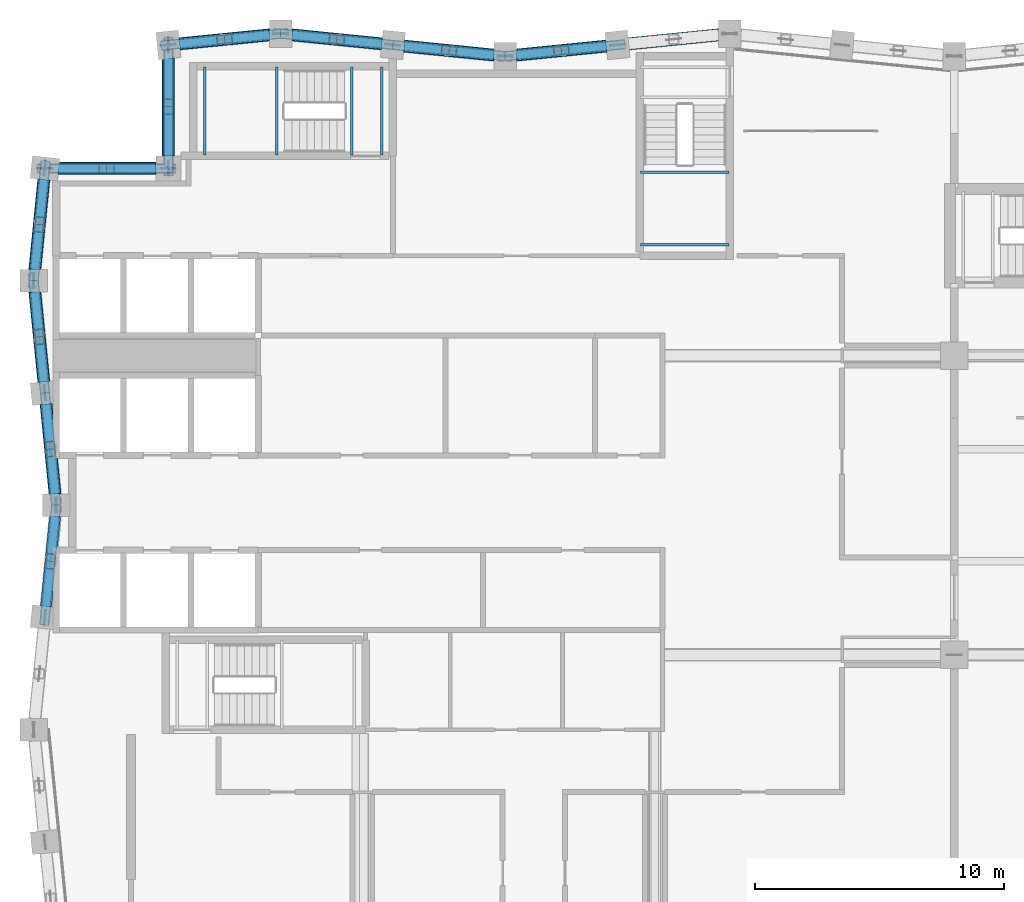
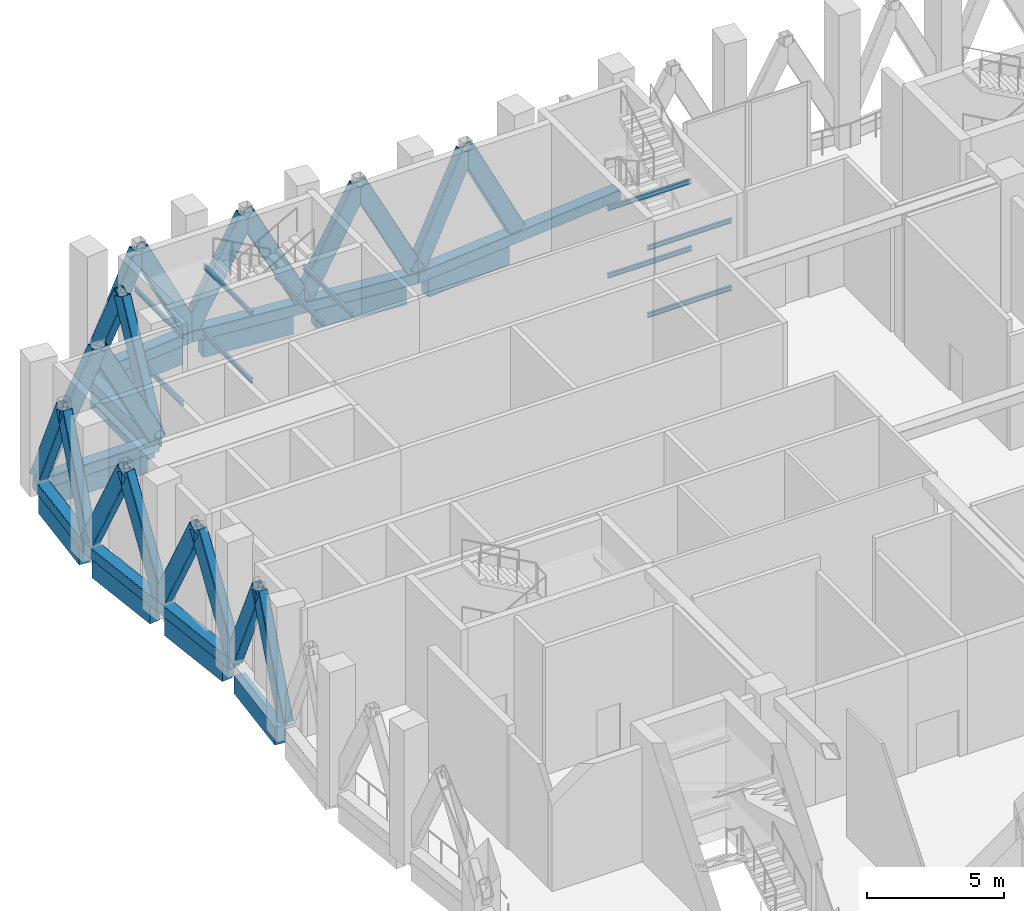
# One storey, part 5 of 28: 27 members, 20 beams.
"""IFC4 building model written with IfcOpenShell, lengths in metres."""

import ifcopenshell
import ifcopenshell.guid

model = None  # the IFC model being written
_history = None  # IfcOwnerHistory: only IFC2X3 demands one
_inside = {}  # id of a spatial element -> (the spatial element, [elements in it])
_under = {}  # id of a project, library or spatial element -> (it, [spatial elements below it])
_declared = {}  # id of a project -> (the project, [libraries it declares])
_typed = {}  # id of a type object -> (the type object, [elements of that type])
_made_of = {}  # id of a material, layer set ... -> (it, [elements and type objects made of it])


def new_model(schema):
    """Start an empty IFC model of exactly this schema.

    Asked for "IFC4X3", IfcOpenShell would pick the latest addendum, in which some entities
    have other attributes; the version numbers below select the first issue.
    IFC2X3 requires an IfcOwnerHistory on every rooted entity: one is made here for all.
    """
    global model, _history
    if schema == "IFC4X3":
        model = ifcopenshell.file(schema_version=(4, 3, 0, 0))
    else:
        model = ifcopenshell.file(schema=schema)
    _inside.clear()
    _under.clear()
    _declared.clear()
    _typed.clear()
    _made_of.clear()
    _history = None
    if model.schema == "IFC2X3":
        org = make("IfcOrganization", Name="unknown")
        user = make(
            "IfcPersonAndOrganization",
            ThePerson=make("IfcPerson", FamilyName="unknown"),
            TheOrganization=org,
        )
        app = make(
            "IfcApplication",
            ApplicationDeveloper=org,
            Version="unknown",
            ApplicationFullName="unknown",
            ApplicationIdentifier="unknown",
        )
        _history = make(
            "IfcOwnerHistory",
            OwningUser=user,
            OwningApplication=app,
            ChangeAction="ADDED",
            CreationDate=0,
        )
    return model


def make(cls, **values):
    """One entity of the class cls with the attributes given. An attribute that is None is left unset."""
    return model.create_entity(
        cls, **{name: value for name, value in values.items() if value is not None}
    )


def rooted(cls, **values):
    """An entity with a GlobalId (a new one), such as an element, a storey or a relation."""
    return make(cls, GlobalId=ifcopenshell.guid.new(), OwnerHistory=_history, **values)


def si_unit(unit_type, name, prefix=None):
    """IfcSIUnit, for example si_unit("LENGTHUNIT", "METRE", prefix="MILLI")."""
    return make("IfcSIUnit", UnitType=unit_type, Prefix=prefix, Name=name)


def assignment(units):
    """IfcUnitAssignment: the units of a project."""
    return None if units is None else make("IfcUnitAssignment", Units=units)


def point(xyz):
    """IfcCartesianPoint."""
    return None if xyz is None else make("IfcCartesianPoint", Coordinates=xyz)


def direction(xyz):
    """IfcDirection."""
    return None if xyz is None else make("IfcDirection", DirectionRatios=xyz)


def frame(location, z_axis=None, x_axis=None):
    """IfcAxis2Placement3D, a coordinate frame: its origin and axes. An axis left out is left unset."""
    return make(
        "IfcAxis2Placement3D",
        Location=point(location),
        Axis=direction(z_axis),
        RefDirection=direction(x_axis),
    )


def frame_2d(location, x_axis=None):
    """IfcAxis2Placement2D, a coordinate frame in the plane: its origin and x axis."""
    return make(
        "IfcAxis2Placement2D", Location=point(location), RefDirection=direction(x_axis)
    )


def origin():
    """The frame at (0, 0, 0) with its axes left unset."""
    return frame((0.0, 0.0, 0.0))


def origin_2d():
    """The frame at (0, 0) in the plane with its x axis left unset."""
    return frame_2d((0.0, 0.0))


def place(relative_to, where):
    """IfcLocalPlacement: puts the frame where relative to a parent placement (None: the world)."""
    return make(
        "IfcLocalPlacement", PlacementRelTo=relative_to, RelativePlacement=where
    )


def context(
    kind, dimensions, precision=None, world=None, true_north=None, identifier=None
):
    """IfcGeometricRepresentationContext, for example the 3D "Model" context."""
    return make(
        "IfcGeometricRepresentationContext",
        ContextIdentifier=identifier,
        ContextType=kind,
        CoordinateSpaceDimension=dimensions,
        Precision=precision,
        WorldCoordinateSystem=world,
        TrueNorth=true_north,
    )


def subcontext(parent, identifier, kind, view, scale=None):
    """IfcGeometricRepresentationSubContext, for example "Body" below "Model"."""
    return make(
        "IfcGeometricRepresentationSubContext",
        ContextIdentifier=identifier,
        ContextType=kind,
        ParentContext=parent,
        TargetScale=scale,
        TargetView=view,
    )


def project(units=None, contexts=None):
    """IfcProject with its units and contexts."""
    return rooted(
        "IfcProject",
        Name="project",
        RepresentationContexts=contexts,
        UnitsInContext=assignment(units),
    )


def spatial(cls, under=None, at=None, **own):
    """A site, building, storey or space (cls), placed at a placement, below another one or the project."""
    s = rooted(cls, ObjectPlacement=at, **own)
    if under is not None:
        _under.setdefault(under.id(), (under, []))[1].append(s)
    return s


def profile(cls, at=None, kind="AREA", **sizes):
    """A parametric profile (cls). Its sizes go by their IFC names, for example OverallWidth=200.0."""
    return make(cls, ProfileType=kind, Position=at, **sizes)


def rectangle(**sizes):
    """IfcRectangleProfileDef."""
    return profile("IfcRectangleProfileDef", **sizes)


def hollow_rectangle(**sizes):
    """IfcRectangleHollowProfileDef."""
    return profile("IfcRectangleHollowProfileDef", **sizes)


def i_section(**sizes):
    """IfcIShapeProfileDef."""
    return profile("IfcIShapeProfileDef", **sizes)


def extrude(swept, where, along, depth):
    """IfcExtrudedAreaSolid: the profile swept, set in the frame where, extruded along a direction by depth."""
    return make(
        "IfcExtrudedAreaSolid",
        SweptArea=swept,
        Position=where,
        ExtrudedDirection=direction(along),
        Depth=depth,
    )


def shape(context_of_items, identifier, shape_type, items):
    """IfcShapeRepresentation: the items that make up one representation, for example the "Body"."""
    return make(
        "IfcShapeRepresentation",
        ContextOfItems=context_of_items,
        RepresentationIdentifier=identifier,
        RepresentationType=shape_type,
        Items=items,
    )


def material(Name=None, Category=None):
    """IfcMaterial."""
    return make("IfcMaterial", Name=Name, Category=Category)


def material_profile(
    of_material, cross_section, Name=None, Category=None, Priority=None
):
    """IfcMaterialProfile: a cross section and its material."""
    return make(
        "IfcMaterialProfile",
        Name=Name,
        Material=of_material,
        Profile=cross_section,
        Priority=Priority,
        Category=Category,
    )


def profile_set(profiles, Name=None, composite=None):
    """IfcMaterialProfileSet."""
    return make(
        "IfcMaterialProfileSet",
        Name=Name,
        MaterialProfiles=profiles,
        CompositeProfile=composite,
    )


def made_of(thing, what):
    """Note that an element or type object is made of a material, layer set ...; save() writes the relation."""
    if what is not None:
        _made_of.setdefault(what.id(), (what, []))[1].append(thing)
    return thing


def type_object(cls, material=None, **own):
    """A type object (cls), such as IfcWallType, which elements share."""
    return made_of(rooted(cls, **own), material)


def element(
    cls,
    number,
    at=None,
    inside=None,
    cuts=None,
    type_object=None,
    material=None,
    context=None,
    identifier="Body",
    shape_type=None,
    held_by="IfcProductDefinitionShape",
    body=None,
    shapes=None,
    **own,
):
    """One element of the class cls, such as IfcWall. Its Tag is "e" and its number.

    at: its placement. inside: the storey or other place that contains it. cuts: it is an
    opening in that element (IfcRelVoidsElement). A single representation is given by context,
    identifier, shape_type and body (its items); several are given by shapes. held_by: the class
    of the entity that holds the representations. save() writes the other relations.
    """
    e = rooted(cls, Tag="e%d" % number, ObjectPlacement=at, **own)
    if body is not None:
        shapes = [shape(context, identifier, shape_type, body)]
    if shapes is not None:
        e.Representation = make(held_by, Representations=shapes)
    if inside is not None:
        _inside.setdefault(inside.id(), (inside, []))[1].append(e)
    if cuts is not None:
        rooted(
            "IfcRelVoidsElement", RelatingBuildingElement=cuts, RelatedOpeningElement=e
        )
    if type_object is not None:
        _typed.setdefault(type_object.id(), (type_object, []))[1].append(e)
    return made_of(e, material)


def aggregate(whole, parts):
    """IfcRelAggregates: a whole, such as a stair, and the parts it consists of."""
    return rooted("IfcRelAggregates", RelatingObject=whole, RelatedObjects=parts)


def save(model, path):
    """Write the relations noted so far, then the file.

    IfcRelAggregates (storeys below a building ...), IfcRelContainedInSpatialStructure (elements
    in a storey), IfcRelDefinesByType, IfcRelAssociatesMaterial and IfcRelDeclares: one each for
    every whole, place, type object, material and project.
    """
    for whole, parts in _under.values():
        aggregate(whole, parts)
    for where, things in _inside.values():
        rooted(
            "IfcRelContainedInSpatialStructure",
            RelatedElements=things,
            RelatingStructure=where,
        )
    for kind, things in _typed.values():
        rooted("IfcRelDefinesByType", RelatedObjects=things, RelatingType=kind)
    for what, things in _made_of.values():
        rooted("IfcRelAssociatesMaterial", RelatedObjects=things, RelatingMaterial=what)
    for by, libraries in _declared.values():
        rooted("IfcRelDeclares", RelatingContext=by, RelatedDefinitions=libraries)
    model.write(path)


model = new_model("IFC4")

# Units and contexts
model_context = context("Model", 3, precision=1e-05, world=origin(), true_north=direction((0.0, 1.0)))
body_context = subcontext(model_context, "Body", "Model", "MODEL_VIEW")
ifc_project = project(units=[si_unit("LENGTHUNIT", "METRE"), si_unit("AREAUNIT", "SQUARE_METRE"), si_unit("VOLUMEUNIT", "CUBIC_METRE"), si_unit("PLANEANGLEUNIT", "RADIAN"), si_unit("MASSUNIT", "GRAM", prefix="KILO")], contexts=[model_context])

# Site, building, storey
site_placement = place(None, origin())
site = spatial("IfcSite", under=ifc_project, at=site_placement, CompositionType="ELEMENT")
building_placement = place(site_placement, origin())
building = spatial("IfcBuilding", under=site, at=building_placement, Name="Brondeck Convention Tower", CompositionType="ELEMENT")
storey_placement = place(building_placement, frame((0.0, 0.0, 192.800048828125)))
storey = spatial("IfcBuildingStorey", under=building, at=storey_placement, Name="L47", CompositionType="ELEMENT", Elevation=192.800048828125)

# Members
ifc_material_1 = material(Name="Steel S460", Category="steel")
ifc_material_profile_1 = material_profile(ifc_material_1, hollow_rectangle(XDim=0.39990234375, YDim=0.699951171875, WallThickness=0.030029296875, InnerFilletRadius=0.030029296875, OuterFilletRadius=0.06005859375, at=origin_2d()), Name="RHS 700x400x30")
ifc_profile_set_1 = profile_set([ifc_material_profile_1], Name="Steel S460")
member_type_1 = type_object("IfcMemberType", Name="Chevron brace RHS 700x400x30", PredefinedType="BRACE", material=ifc_profile_set_1)
for number, where, z_axis, x_axis, name in (
    (1, (22.5, 63.449951171875, 0.5), (-0.451750471668, -0.045145636329, 0.891001337186), (0.099439578731, -0.995043602151, 0.0), "Belt truss BT-47-35 diagonal"),
    (2, (18.0, 63.0, 0.5), (0.451749471427, 0.045194554325, 0.89099936438), (-0.099546478526, 0.995032913332, 0.0), "Belt truss BT-47-35 diagonal"),
    (3, (18.0, 63.0, 0.5), (-0.451749471427, 0.045194554325, 0.89099936438), (-0.099546478526, -0.995032913332, 0.0), "Belt truss BT-47-36 diagonal"),
    (4, (13.5, 63.449951171875, 0.5), (0.451750471668, -0.045145636329, 0.891001337186), (0.099439578731, 0.995043602151, 0.0), "Belt truss BT-47-36 diagonal"),
    (5, (13.5, 63.449951171875, 0.5), (-0.451749471427, 0.045194554325, 0.89099936438), (-0.099546478526, -0.995032913332, 0.0), "Belt truss BT-47-37 diagonal"),
    (6, (9.0, 63.89990234375, 0.5), (0.451750471668, -0.045145636329, 0.891001337186), (0.099439578731, 0.995043602151, 0.0), "Belt truss BT-47-37 diagonal"),
    (7, (9.0, 63.89990234375, 0.5), (-0.451750471668, -0.045145636329, 0.891001337186), (0.099439578731, -0.995043602151, 0.0), "Belt truss BT-47-38 diagonal"),
    (8, (4.5, 63.449951171875, 0.5), (0.451749471427, 0.045194554325, 0.89099936438), (-0.099546478526, 0.995032913332, 0.0), "Belt truss BT-47-38 diagonal"),
):
    element("IfcMember", number, at=place(storey_placement, frame(where, z_axis=z_axis, x_axis=x_axis)), inside=storey, type_object=member_type_1, Name=name, PredefinedType="BRACE", context=body_context, shape_type="SweptSolid", body=[
        extrude(hollow_rectangle(XDim=0.39990234375, YDim=0.699951171875, WallThickness=0.030029296875, InnerFilletRadius=0.030029296875, OuterFilletRadius=0.06005859375, at=origin_2d()), origin(), (0.0, 0.0, 1.0), 4.980712890625),
    ])
for number, where, z_axis, x_axis, name in (
    (9, (4.5, 63.449951171875, 0.5), (0.0, -0.454534235534, 0.890729267919), (1.0, 0.0, 0.0), "Belt truss BT-47-39 diagonal"),
    (10, (4.5, 58.5, 0.5), (0.0, 0.454569809749, 0.890711113698), (-1.0, 0.0, 0.0), "Belt truss BT-47-39 diagonal"),
    (11, (4.5, 58.5, 0.5), (-0.454569809749, 0.0, 0.890711113698), (0.0, -1.0, 0.0), "Belt truss BT-47-40 diagonal"),
    (12, (-0.449951171875, 58.5, 0.5), (0.454534235534, 0.0, 0.890729267919), (0.0, 1.0, 0.0), "Belt truss BT-47-40 diagonal"),
):
    element("IfcMember", number, at=place(storey_placement, frame(where, z_axis=z_axis, x_axis=x_axis)), inside=storey, type_object=member_type_1, Name=name, PredefinedType="BRACE", context=body_context, shape_type="SweptSolid", body=[
        extrude(hollow_rectangle(XDim=0.39990234375, YDim=0.699951171875, WallThickness=0.030029296875, InnerFilletRadius=0.030029296875, OuterFilletRadius=0.06005859375, at=origin_2d()), origin(), (0.0, 0.0, 1.0), 5.44482421875),
    ])
for number, where, z_axis, x_axis, name in (
    (13, (-0.449951171875, 58.5, 0.5), (-0.045194554325, -0.451749471427, 0.89099936438), (0.995032913332, -0.099546478526, 0.0), "Belt truss BT-47-41 diagonal"),
    (14, (-0.89990234375, 54.0, 0.5), (0.045145636329, 0.451750471668, 0.891001337186), (-0.995043602151, 0.099439578731, 0.0), "Belt truss BT-47-41 diagonal"),
    (15, (-0.89990234375, 54.0, 0.5), (0.045145636329, -0.451750471668, 0.891001337186), (0.995043602151, 0.099439578731, 0.0), "Belt truss BT-47-42 diagonal"),
    (16, (-0.449951171875, 49.5, 0.5), (-0.045194554325, 0.451749471427, 0.89099936438), (-0.995032913332, -0.099546478526, 0.0), "Belt truss BT-47-42 diagonal"),
    (17, (-0.449951171875, 49.5, 0.5), (0.045145636329, -0.451750471668, 0.891001337186), (0.995043602151, 0.099439578731, 0.0), "Belt truss BT-47-43 diagonal"),
    (18, (0.0, 45.0, 0.5), (-0.045194554325, 0.451749471427, 0.89099936438), (-0.995032913332, -0.099546478526, 0.0), "Belt truss BT-47-43 diagonal"),
    (19, (0.0, 45.0, 0.5), (-0.045194554325, -0.451749471427, 0.89099936438), (0.995032913332, -0.099546478526, 0.0), "Belt truss BT-47-44 diagonal"),
    (20, (-0.449951171875, 40.5, 0.5), (0.045145636329, 0.451750471668, 0.891001337186), (-0.995043602151, 0.099439578731, 0.0), "Belt truss BT-47-44 diagonal"),
):
    element("IfcMember", number, at=place(storey_placement, frame(where, z_axis=z_axis, x_axis=x_axis)), inside=storey, type_object=member_type_1, Name=name, PredefinedType="BRACE", context=body_context, shape_type="SweptSolid", body=[
        extrude(hollow_rectangle(XDim=0.39990234375, YDim=0.699951171875, WallThickness=0.030029296875, InnerFilletRadius=0.030029296875, OuterFilletRadius=0.06005859375, at=origin_2d()), origin(), (0.0, 0.0, 1.0), 4.980712890625),
    ])

# Beams
ifc_material_2 = material(Name="Steel S355", Category="steel")
ifc_material_profile_2 = material_profile(ifc_material_2, i_section(OverallWidth=0.10009765625, OverallDepth=0.199951171875, WebThickness=0.005615234375, FlangeThickness=0.008544921875, FilletRadius=0.011962890625, at=origin_2d()), Name="IPE200")
ifc_profile_set_2 = profile_set([ifc_material_profile_2], Name="Steel S355")
beam_type_1 = type_object("IfcBeamType", Name="Landing ledger beam IPE 200", PredefinedType="BEAM", material=ifc_profile_set_2)
for number, where, z_axis, x_axis, name in (
    (21, (23.429931640625, 58.35009765625, 1.14990234375), (1.0, 0.0, 0.0), (0.0, 1.0, 0.0), "L47 ST-2 landing beam"),
    (22, (23.429931640625, 55.449951171875, 1.14990234375), (1.0, 0.0, 0.0), (0.0, 1.0, 0.0), "L47 ST-2 landing beam"),
    (23, (23.429931640625, 58.35009765625, 4.14990234375), (1.0, 0.0, 0.0), (0.0, 1.0, 0.0), "L47 ST-2 landing beam"),
    (24, (23.429931640625, 55.449951171875, 4.14990234375), (1.0, 0.0, 0.0), (0.0, 1.0, 0.0), "L47 ST-2 landing beam"),
    (25, (8.85009765625, 62.570068359375, 1.14990234375), (0.0, -1.0, 0.0), (1.0, 0.0, 0.0), "L47 ST-3 landing beam"),
    (26, (5.949951171875, 62.570068359375, 1.14990234375), (0.0, -1.0, 0.0), (1.0, 0.0, 0.0), "L47 ST-3 landing beam"),
    (27, (13.050048828125, 62.570068359375, 2.64990234375), (0.0, -1.0, 0.0), (1.0, 0.0, 0.0), "L47 ST-3 landing beam"),
    (28, (11.85009765625, 62.570068359375, 2.64990234375), (0.0, -1.0, 0.0), (1.0, 0.0, 0.0), "L47 ST-3 landing beam"),
    (29, (8.85009765625, 62.570068359375, 4.14990234375), (0.0, -1.0, 0.0), (1.0, 0.0, 0.0), "L47 ST-3 landing beam"),
    (30, (5.949951171875, 62.570068359375, 4.14990234375), (0.0, -1.0, 0.0), (1.0, 0.0, 0.0), "L47 ST-3 landing beam"),
):
    element("IfcBeam", number, at=place(storey_placement, frame(where, z_axis=z_axis, x_axis=x_axis)), inside=storey, type_object=beam_type_1, Name=name, PredefinedType="BEAM", context=body_context, shape_type="SweptSolid", body=[
        extrude(i_section(OverallWidth=0.10009765625, OverallDepth=0.199951171875, WebThickness=0.005615234375, FlangeThickness=0.008544921875, FilletRadius=0.011962890625, at=origin_2d()), origin(), (0.0, 0.0, 1.0), 3.5400390625),
    ])
ifc_material_3 = material(Name="Concrete C70/85", Category="concrete")
ifc_material_profile_3 = material_profile(ifc_material_3, rectangle(XDim=0.449951171875, YDim=0.800048828125, at=origin_2d()), Name="Precast spandrel 450x800 Concrete C70/85")
ifc_profile_set_3 = profile_set([ifc_material_profile_3], Name="Concrete C70/85")
beam_type_2 = type_object("IfcBeamType", Name="Precast spandrel 450x800 Concrete C70/85", PredefinedType="SPANDREL", material=ifc_profile_set_3)
for number, where, z_axis, x_axis, name in (
    (31, (22.05224609375, 63.4052734375, -0.400146484375), (-0.995033851182, -0.099537103649, 0.0), (0.099537103649, -0.995033851182, 0.0), "STR-SP-L47-035"),
    (32, (17.550048828125, 63.044921875, -0.400146484375), (-0.995033851182, 0.099537103649, 0.0), (-0.099537103649, -0.995033851182, 0.0), "STR-SP-L47-036"),
    (33, (13.05224609375, 63.494873046875, -0.400146484375), (-0.995040528141, 0.099470334057, 0.0), (-0.099470334057, -0.995040528141, 0.0), "STR-SP-L47-037"),
    (34, (8.550048828125, 63.85498046875, -0.400146484375), (-0.995040528141, -0.099470334057, 0.0), (0.099470334057, -0.995040528141, 0.0), "STR-SP-L47-038"),
):
    element("IfcBeam", number, at=place(storey_placement, frame(where, z_axis=z_axis, x_axis=x_axis)), inside=storey, type_object=beam_type_2, Name=name, PredefinedType="SPANDREL", context=body_context, shape_type="SweptSolid", body=[
        extrude(rectangle(XDim=0.449951171875, YDim=0.800048828125, at=origin_2d()), origin(), (0.0, 0.0, 1.0), 3.620361328125),
    ])
for number, where, z_axis, x_axis, name in (
    (35, (4.5, 62.897216796875, -0.400146484375), (0.0, -1.0, 0.0), (1.0, 0.0, 0.0), "STR-SP-L47-039"),
    (36, (4.0, 58.5, -0.400146484375), (-1.0, 0.0, 0.0), (0.0, -1.0, 0.0), "STR-SP-L47-040"),
):
    element("IfcBeam", number, at=place(storey_placement, frame(where, z_axis=z_axis, x_axis=x_axis)), inside=storey, type_object=beam_type_2, Name=name, PredefinedType="SPANDREL", context=body_context, shape_type="SweptSolid", body=[
        extrude(rectangle(XDim=0.449951171875, YDim=0.800048828125, at=origin_2d()), origin(), (0.0, 0.0, 1.0), 3.897216796875),
    ])
for number, where, z_axis, x_axis, name in (
    (37, (-0.494873046875, 58.05224609375, -0.400146484375), (-0.099470334057, -0.995040528141, 0.0), (0.995040528141, -0.099470334057, 0.0), "STR-SP-L47-041"),
    (38, (-0.85498046875, 53.550048828125, -0.400146484375), (0.099470334057, -0.995040528141, 0.0), (0.995040528141, 0.099470334057, 0.0), "STR-SP-L47-042"),
    (39, (-0.4052734375, 49.05224609375, -0.400146484375), (0.099537103649, -0.995033851182, 0.0), (0.995033851182, 0.099537103649, 0.0), "STR-SP-L47-043"),
    (40, (-0.044921875, 44.550048828125, -0.400146484375), (-0.099537103649, -0.995033851182, 0.0), (0.995033851182, -0.099537103649, 0.0), "STR-SP-L47-044"),
):
    element("IfcBeam", number, at=place(storey_placement, frame(where, z_axis=z_axis, x_axis=x_axis)), inside=storey, type_object=beam_type_2, Name=name, PredefinedType="SPANDREL", context=body_context, shape_type="SweptSolid", body=[
        extrude(rectangle(XDim=0.449951171875, YDim=0.800048828125, at=origin_2d()), origin(), (0.0, 0.0, 1.0), 3.620361328125),
    ])

# Members
ifc_material_profile_4 = material_profile(ifc_material_1, hollow_rectangle(XDim=0.5, YDim=0.5, WallThickness=0.02490234375, InnerFilletRadius=0.02490234375, OuterFilletRadius=0.050048828125, at=origin_2d()), Name="RHS 500x500x25")
ifc_profile_set_4 = profile_set([ifc_material_profile_4], Name="Steel S460")
member_type_2 = type_object("IfcMemberType", Name="Truss chord RHS 500x500x25", PredefinedType="CHORD", material=ifc_profile_set_4)
for number, where, z_axis, x_axis, name in (
    (41, (27.0, 63.89990234375, 0.25), (-0.995038259148, -0.099493029059, 0.0), (0.099493029059, -0.995038259148, 0.0), "Belt truss BT-47-18 chord"),
    (42, (18.0, 63.0, 0.25), (-0.995038259148, 0.099493029059, 0.0), (-0.099493029059, -0.995038259148, 0.0), "Belt truss BT-47-19 chord"),
):
    element("IfcMember", number, at=place(storey_placement, frame(where, z_axis=z_axis, x_axis=x_axis)), inside=storey, type_object=member_type_2, Name=name, PredefinedType="CHORD", context=body_context, shape_type="SweptSolid", body=[
        extrude(hollow_rectangle(XDim=0.5, YDim=0.5, WallThickness=0.02490234375, InnerFilletRadius=0.02490234375, OuterFilletRadius=0.050048828125, at=origin_2d()), origin(), (0.0, 0.0, 1.0), 9.044921875),
    ])
member_1_placement = place(storey_placement, frame((9.0, 63.89990234375, 0.25), z_axis=(-0.995038259148, -0.099493029059, 0.0), x_axis=(0.099493029059, -0.995038259148, 0.0)))
element("IfcMember", 43, at=member_1_placement, inside=storey, type_object=member_type_2, Name="Belt truss BT-47-20 chord", PredefinedType="CHORD", context=body_context, shape_type="SweptSolid", body=[
    extrude(hollow_rectangle(XDim=0.5, YDim=0.5, WallThickness=0.02490234375, InnerFilletRadius=0.02490234375, OuterFilletRadius=0.050048828125, at=origin_2d()), origin(), (0.0, 0.0, 1.0), 4.5224609375),
])
for number, where, z_axis, x_axis, name in (
    (44, (4.5, 63.449951171875, 0.25), (0.0, -1.0, 0.0), (1.0, 0.0, 0.0), "Belt truss BT-47-21 chord"),
    (45, (4.5, 58.5, 0.25), (-1.0, 0.0, 0.0), (0.0, -1.0, 0.0), "Belt truss BT-47-22 chord"),
):
    element("IfcMember", number, at=place(storey_placement, frame(where, z_axis=z_axis, x_axis=x_axis)), inside=storey, type_object=member_type_2, Name=name, PredefinedType="CHORD", context=body_context, shape_type="SweptSolid", body=[
        extrude(hollow_rectangle(XDim=0.5, YDim=0.5, WallThickness=0.02490234375, InnerFilletRadius=0.02490234375, OuterFilletRadius=0.050048828125, at=origin_2d()), origin(), (0.0, 0.0, 1.0), 4.949951171875),
    ])
member_2_placement = place(storey_placement, frame((-0.449951171875, 58.5, 0.25), z_axis=(-0.099493029059, -0.995038259148, 0.0), x_axis=(0.995038259148, -0.099493029059, 0.0)))
element("IfcMember", 46, at=member_2_placement, inside=storey, type_object=member_type_2, Name="Belt truss BT-47-23 chord", PredefinedType="CHORD", context=body_context, shape_type="SweptSolid", body=[
    extrude(hollow_rectangle(XDim=0.5, YDim=0.5, WallThickness=0.02490234375, InnerFilletRadius=0.02490234375, OuterFilletRadius=0.050048828125, at=origin_2d()), origin(), (0.0, 0.0, 1.0), 4.5224609375),
])
member_3_placement = place(storey_placement, frame((-0.89990234375, 54.0, 0.25), z_axis=(0.099493029059, -0.995038259148, 0.0), x_axis=(0.995038259148, 0.099493029059, 0.0)))
element("IfcMember", 47, at=member_3_placement, inside=storey, type_object=member_type_2, Name="Belt truss BT-47-24 chord", PredefinedType="CHORD", context=body_context, shape_type="SweptSolid", body=[
    extrude(hollow_rectangle(XDim=0.5, YDim=0.5, WallThickness=0.02490234375, InnerFilletRadius=0.02490234375, OuterFilletRadius=0.050048828125, at=origin_2d()), origin(), (0.0, 0.0, 1.0), 9.044921875),
])

save(model, "model.ifc")
